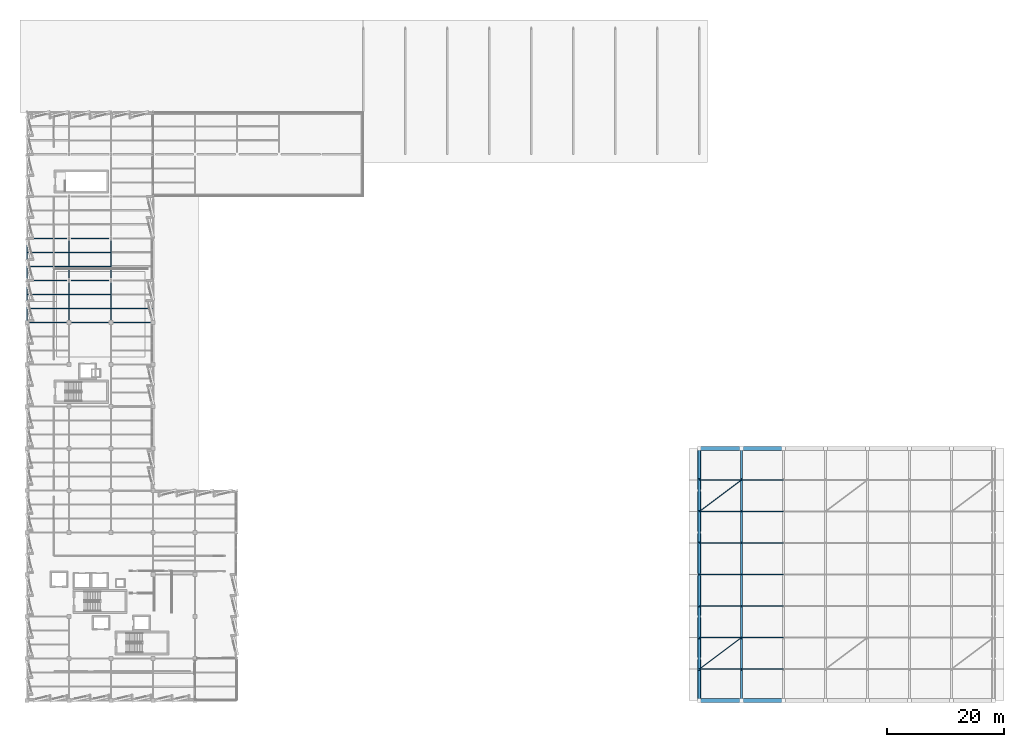
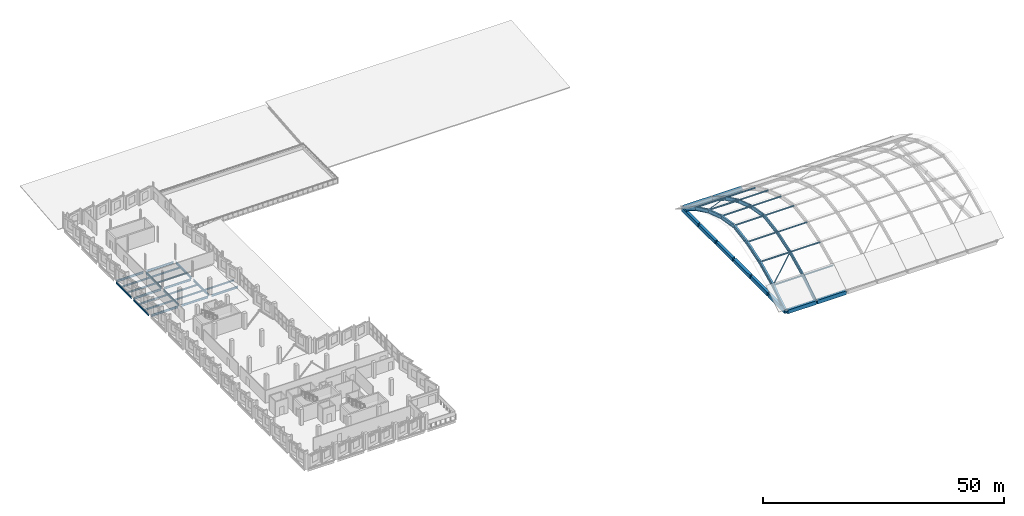
# One storey, part 18 of 38: 48 beams, 16 members.
"""IFC4 building model written with IfcOpenShell, lengths in metres."""

from ifc_helpers import new_model, si_unit, direction, frame, origin, origin_2d, place, context, subcontext, project, spatial, rectangle, hollow_rectangle, i_section, extrude, material, material_profile, profile_set, type_object, element, save


model = new_model("IFC4")

# Units and contexts
model_context = context("Model", 3, precision=1e-05, world=origin(), true_north=direction((0.0, 1.0)))
body_context = subcontext(model_context, "Body", "Model", "MODEL_VIEW")
ifc_project = project(units=[si_unit("LENGTHUNIT", "METRE"), si_unit("AREAUNIT", "SQUARE_METRE"), si_unit("VOLUMEUNIT", "CUBIC_METRE"), si_unit("PLANEANGLEUNIT", "RADIAN"), si_unit("MASSUNIT", "GRAM", prefix="KILO")], contexts=[model_context])

# Site, building, storey
site_placement = place(None, origin())
site = spatial("IfcSite", under=ifc_project, at=site_placement, CompositionType="ELEMENT")
building_placement = place(site_placement, origin())
building = spatial("IfcBuilding", under=site, at=building_placement, Name="Kalmorath City Hall", CompositionType="ELEMENT")
storey_placement = place(building_placement, frame((0.0, 0.0, 18.89990234375)))
storey = spatial("IfcBuildingStorey", under=building, at=storey_placement, Name="L04", CompositionType="ELEMENT", Elevation=18.89990234375)

# Beams
ifc_material_1 = material(Name="Concrete C50/60", Category="concrete")
ifc_material_profile_1 = material_profile(ifc_material_1, rectangle(XDim=0.64990234375, YDim=0.949951171875, at=origin_2d()), Name="RC-RING-650X950")
ifc_profile_set_1 = profile_set([ifc_material_profile_1], Name="Concrete C50/60")
beam_type_1 = type_object("IfcBeamType", Name="Concrete shell ring beam 650x950", PredefinedType="SPANDREL", material=ifc_profile_set_1)
for number, where, z_axis, x_axis, name in (
    (1, (115.384521484375, 0.0, -0.474853515625), (1.0, 0.0, 0.0), (0.0, 1.0, 0.0), "Chamber shell perimeter edge beam RB1-S1"),
    (2, (122.528076171875, 0.0, -0.474853515625), (1.0, 0.0, 0.0), (0.0, 1.0, 0.0), "Chamber shell perimeter edge beam RB1-S2"),
    (3, (115.384521484375, 43.199951171875, -0.474853515625), (1.0, 0.0, 0.0), (0.0, 1.0, 0.0), "Chamber shell perimeter edge beam RB1-N1"),
    (4, (122.528076171875, 43.199951171875, -0.474853515625), (1.0, 0.0, 0.0), (0.0, 1.0, 0.0), "Chamber shell perimeter edge beam RB1-N2"),
):
    element("IfcBeam", number, at=place(storey_placement, frame(where, z_axis=z_axis, x_axis=x_axis)), inside=storey, type_object=beam_type_1, Name=name, PredefinedType="SPANDREL", context=body_context, shape_type="SweptSolid", body=[
        extrude(rectangle(XDim=0.64990234375, YDim=0.949951171875, at=origin_2d()), origin(), (0.0, 0.0, 1.0), 6.887451171875),
    ])
for number, where, z_axis, x_axis, name in (
    (5, (115.199951171875, 0.177978515625, -0.474853515625), (0.0, 1.0, 0.0), (-1.0, 0.0, 0.0), "Chamber shell gable tie beam RB1-W1"),
    (6, (115.199951171875, 7.3779296875, -0.474853515625), (0.0, 1.0, 0.0), (-1.0, 0.0, 0.0), "Chamber shell gable tie beam RB1-W2"),
):
    element("IfcBeam", number, at=place(storey_placement, frame(where, z_axis=z_axis, x_axis=x_axis)), inside=storey, type_object=beam_type_1, Name=name, PredefinedType="SPANDREL", context=body_context, shape_type="SweptSolid", body=[
        extrude(rectangle(XDim=0.64990234375, YDim=0.949951171875, at=origin_2d()), origin(), (0.0, 0.0, 1.0), 6.843994140625),
    ])
beam_1_placement = place(storey_placement, frame((115.199951171875, 14.577880859375, -0.474853515625), z_axis=(0.0, 1.0, 0.0), x_axis=(-1.0, 0.0, 0.0)))
element("IfcBeam", 7, at=beam_1_placement, inside=storey, type_object=beam_type_1, Name="Chamber shell gable tie beam RB1-W3", PredefinedType="SPANDREL", context=body_context, shape_type="SweptSolid", body=[
    extrude(rectangle(XDim=0.64990234375, YDim=0.949951171875, at=origin_2d()), origin(), (0.0, 0.0, 1.0), 6.84423828125),
])
for number, where, z_axis, x_axis, name in (
    (8, (115.199951171875, 21.778076171875, -0.474853515625), (0.0, 1.0, 0.0), (-1.0, 0.0, 0.0), "Chamber shell gable tie beam RB1-W4"),
    (9, (115.199951171875, 28.97802734375, -0.474853515625), (0.0, 1.0, 0.0), (-1.0, 0.0, 0.0), "Chamber shell gable tie beam RB1-W5"),
    (10, (115.199951171875, 36.177978515625, -0.474853515625), (0.0, 1.0, 0.0), (-1.0, 0.0, 0.0), "Chamber shell gable tie beam RB1-W6"),
):
    element("IfcBeam", number, at=place(storey_placement, frame(where, z_axis=z_axis, x_axis=x_axis)), inside=storey, type_object=beam_type_1, Name=name, PredefinedType="SPANDREL", context=body_context, shape_type="SweptSolid", body=[
        extrude(rectangle(XDim=0.64990234375, YDim=0.949951171875, at=origin_2d()), origin(), (0.0, 0.0, 1.0), 6.843994140625),
    ])
ifc_material_2 = material(Name="Steel ASTM A992 Grade 50", Category="steel")
ifc_material_profile_2 = material_profile(ifc_material_2, i_section(OverallWidth=0.177001953125, OverallDepth=0.403076171875, WebThickness=0.007568359375, FlangeThickness=0.010986328125, FilletRadius=0.012939453125, at=origin_2d()), Name="W16X36")
ifc_profile_set_2 = profile_set([ifc_material_profile_2], Name="Steel ASTM A992 Grade 50")
beam_type_2 = type_object("IfcBeamType", Name="Steel composite joist W16X36", PredefinedType="JOIST", material=ifc_profile_set_2)
for number, where, z_axis, x_axis, name in (
    (11, (7.305419921875, 74.39990234375, -0.495361328125), (1.0, 0.0, 0.0), (0.0, 1.0, 0.0), "L04 joist SJ7 2.11.1"),
    (12, (7.305419921875, 76.800048828125, -0.495361328125), (1.0, 0.0, 0.0), (0.0, 1.0, 0.0), "L04 joist SJ7 2.11.2"),
):
    element("IfcBeam", number, at=place(storey_placement, frame(where, z_axis=z_axis, x_axis=x_axis)), inside=storey, type_object=beam_type_2, Name=name, PredefinedType="JOIST", context=body_context, shape_type="SweptSolid", body=[
        extrude(i_section(OverallWidth=0.177001953125, OverallDepth=0.403076171875, WebThickness=0.007568359375, FlangeThickness=0.010986328125, FilletRadius=0.012939453125, at=origin_2d()), origin(), (0.0, 0.0, 1.0), 6.989013671875),
    ])
beam_2_placement = place(storey_placement, frame((14.505615234375, 67.199951171875, -0.495361328125), z_axis=(1.0, 0.0, 0.0), x_axis=(0.0, 1.0, 0.0)))
element("IfcBeam", 13, at=beam_2_placement, inside=storey, type_object=beam_type_2, Name="L04 joist SJ7 3.10.1", PredefinedType="JOIST", context=body_context, shape_type="SweptSolid", body=[
    extrude(i_section(OverallWidth=0.177001953125, OverallDepth=0.403076171875, WebThickness=0.007568359375, FlangeThickness=0.010986328125, FilletRadius=0.012939453125, at=origin_2d()), origin(), (0.0, 0.0, 1.0), 7.011962890625),
])
ifc_material_3 = material(Name="Steel ASTM A992 Grade 50", Category="steel")
ifc_material_profile_3 = material_profile(ifc_material_3, i_section(OverallWidth=0.178955078125, OverallDepth=0.409912109375, WebThickness=0.0087890625, FlangeThickness=0.014404296875, FilletRadius=0.012939453125, at=origin_2d()), Name="W16X45")
ifc_profile_set_3 = profile_set([ifc_material_profile_3], Name="Steel ASTM A992 Grade 50")
beam_type_3 = type_object("IfcBeamType", Name="Steel composite joist W16X45", PredefinedType="JOIST", material=ifc_profile_set_3)
for number, where, z_axis, x_axis, name in (
    (14, (0.08251953125, 74.39990234375, -0.4990234375), (1.0, 0.0, 0.0), (0.0, 1.0, 0.0), "L04 joist SJ6 1.11.1"),
    (15, (0.08251953125, 76.800048828125, -0.4990234375), (1.0, 0.0, 0.0), (0.0, 1.0, 0.0), "L04 joist SJ6 1.11.2"),
):
    element("IfcBeam", number, at=place(storey_placement, frame(where, z_axis=z_axis, x_axis=x_axis)), inside=storey, type_object=beam_type_3, Name=name, PredefinedType="JOIST", context=body_context, shape_type="SweptSolid", body=[
        extrude(i_section(OverallWidth=0.178955078125, OverallDepth=0.409912109375, WebThickness=0.0087890625, FlangeThickness=0.014404296875, FilletRadius=0.012939453125, at=origin_2d()), origin(), (0.0, 0.0, 1.0), 7.011962890625),
    ])
for number, where, z_axis, x_axis, name in (
    (16, (7.305419921875, 67.199951171875, -0.4990234375), (1.0, 0.0, 0.0), (0.0, 1.0, 0.0), "L04 joist SJ6 2.10.1"),
    (17, (7.305419921875, 69.60009765625, -0.4990234375), (1.0, 0.0, 0.0), (0.0, 1.0, 0.0), "L04 joist SJ6 2.10.2"),
):
    element("IfcBeam", number, at=place(storey_placement, frame(where, z_axis=z_axis, x_axis=x_axis)), inside=storey, type_object=beam_type_3, Name=name, PredefinedType="JOIST", context=body_context, shape_type="SweptSolid", body=[
        extrude(i_section(OverallWidth=0.178955078125, OverallDepth=0.409912109375, WebThickness=0.0087890625, FlangeThickness=0.014404296875, FilletRadius=0.012939453125, at=origin_2d()), origin(), (0.0, 0.0, 1.0), 6.989013671875),
    ])
ifc_material_4 = material(Name="Steel ASTM A992 Grade 50", Category="steel")
ifc_material_profile_4 = material_profile(ifc_material_4, i_section(OverallWidth=0.180908203125, OverallDepth=0.4169921875, WebThickness=0.010986328125, FlangeThickness=0.018310546875, FilletRadius=0.012939453125, at=origin_2d()), Name="W16X57")
ifc_profile_set_4 = profile_set([ifc_material_profile_4], Name="Steel ASTM A992 Grade 50")
beam_type_4 = type_object("IfcBeamType", Name="Steel composite joist W16X57", PredefinedType="JOIST", material=ifc_profile_set_4)
for number, where, z_axis, x_axis, name in (
    (18, (0.08251953125, 67.199951171875, -0.50244140625), (1.0, 0.0, 0.0), (0.0, 1.0, 0.0), "L04 joist SJ5 1.10.1"),
    (19, (0.08251953125, 69.60009765625, -0.50244140625), (1.0, 0.0, 0.0), (0.0, 1.0, 0.0), "L04 joist SJ5 1.10.2"),
):
    element("IfcBeam", number, at=place(storey_placement, frame(where, z_axis=z_axis, x_axis=x_axis)), inside=storey, type_object=beam_type_4, Name=name, PredefinedType="JOIST", context=body_context, shape_type="SweptSolid", body=[
        extrude(i_section(OverallWidth=0.180908203125, OverallDepth=0.4169921875, WebThickness=0.010986328125, FlangeThickness=0.018310546875, FilletRadius=0.012939453125, at=origin_2d()), origin(), (0.0, 0.0, 1.0), 7.011962890625),
    ])
ifc_material_5 = material(Name="Steel ASTM A992 Grade 50", Category="steel")
ifc_material_profile_5 = material_profile(ifc_material_5, i_section(OverallWidth=0.2109375, OverallDepth=0.5390625, WebThickness=0.01171875, FlangeThickness=0.018798828125, FilletRadius=0.014892578125, at=origin_2d()), Name="W21X73")
ifc_profile_set_5 = profile_set([ifc_material_profile_5], Name="Steel ASTM A992 Grade 50")
beam_type_5 = type_object("IfcBeamType", Name="Steel floor beam W21X73", PredefinedType="BEAM", material=ifc_profile_set_5)
beam_3_placement = place(storey_placement, frame((0.39990234375, 64.800048828125, -0.5634765625), z_axis=(1.0, 0.0, 0.0), x_axis=(0.0, 1.0, 0.0)))
element("IfcBeam", 20, at=beam_3_placement, inside=storey, type_object=beam_type_5, Name="L04 girder SB1 X1-2/10", PredefinedType="BEAM", context=body_context, shape_type="SweptSolid", body=[
    extrude(i_section(OverallWidth=0.2109375, OverallDepth=0.5390625, WebThickness=0.01171875, FlangeThickness=0.018798828125, FilletRadius=0.014892578125, at=origin_2d()), origin(), (0.0, 0.0, 1.0), 6.400146484375),
])
for number, where, z_axis, x_axis, name in (
    (21, (7.60009765625, 64.800048828125, -0.5634765625), (1.0, 0.0, 0.0), (0.0, 1.0, 0.0), "L04 girder SB1 X2-3/10"),
    (22, (14.800048828125, 64.800048828125, -0.5634765625), (1.0, 0.0, 0.0), (0.0, 1.0, 0.0), "L04 girder SB1 X3-4/10"),
):
    element("IfcBeam", number, at=place(storey_placement, frame(where, z_axis=z_axis, x_axis=x_axis)), inside=storey, type_object=beam_type_5, Name=name, PredefinedType="BEAM", context=body_context, shape_type="SweptSolid", body=[
        extrude(i_section(OverallWidth=0.2109375, OverallDepth=0.5390625, WebThickness=0.01171875, FlangeThickness=0.018798828125, FilletRadius=0.014892578125, at=origin_2d()), origin(), (0.0, 0.0, 1.0), 6.39990234375),
    ])
for number, where, z_axis, x_axis, name in (
    (23, (0.375, 72.0, -0.5634765625), (1.0, 0.0, 0.0), (0.0, 1.0, 0.0), "L04 girder SB1 X1-2/11"),
    (24, (7.574951171875, 72.0, -0.5634765625), (1.0, 0.0, 0.0), (0.0, 1.0, 0.0), "L04 girder SB1 X2-3/11"),
    (25, (0.375, 79.199951171875, -0.5634765625), (1.0, 0.0, 0.0), (0.0, 1.0, 0.0), "L04 girder SB1 X1-2/12"),
    (26, (7.574951171875, 79.199951171875, -0.5634765625), (1.0, 0.0, 0.0), (0.0, 1.0, 0.0), "L04 girder SB1 X2-3/12"),
):
    element("IfcBeam", number, at=place(storey_placement, frame(where, z_axis=z_axis, x_axis=x_axis)), inside=storey, type_object=beam_type_5, Name=name, PredefinedType="BEAM", context=body_context, shape_type="SweptSolid", body=[
        extrude(i_section(OverallWidth=0.2109375, OverallDepth=0.5390625, WebThickness=0.01171875, FlangeThickness=0.018798828125, FilletRadius=0.014892578125, at=origin_2d()), origin(), (0.0, 0.0, 1.0), 6.449951171875),
    ])
beam_4_placement = place(storey_placement, frame((7.199951171875, 65.199951171875, -0.5634765625), z_axis=(0.0, 1.0, 0.0), x_axis=(-1.0, 0.0, 0.0)))
element("IfcBeam", 27, at=beam_4_placement, inside=storey, type_object=beam_type_5, Name="L04 girder SB1 Y2/10-11", PredefinedType="BEAM", context=body_context, shape_type="SweptSolid", body=[
    extrude(i_section(OverallWidth=0.2109375, OverallDepth=0.5390625, WebThickness=0.01171875, FlangeThickness=0.018798828125, FilletRadius=0.014892578125, at=origin_2d()), origin(), (0.0, 0.0, 1.0), 6.425048828125),
])
beam_5_placement = place(storey_placement, frame((7.199951171875, 72.375, -0.5634765625), z_axis=(0.0, 1.0, 0.0), x_axis=(-1.0, 0.0, 0.0)))
element("IfcBeam", 28, at=beam_5_placement, inside=storey, type_object=beam_type_5, Name="L04 girder SB1 Y2/11-12", PredefinedType="BEAM", context=body_context, shape_type="SweptSolid", body=[
    extrude(i_section(OverallWidth=0.2109375, OverallDepth=0.5390625, WebThickness=0.01171875, FlangeThickness=0.018798828125, FilletRadius=0.014892578125, at=origin_2d()), origin(), (0.0, 0.0, 1.0), 6.449951171875),
])
beam_6_placement = place(storey_placement, frame((14.39990234375, 65.199951171875, -0.5634765625), z_axis=(0.0, 1.0, 0.0), x_axis=(-1.0, 0.0, 0.0)))
element("IfcBeam", 29, at=beam_6_placement, inside=storey, type_object=beam_type_5, Name="L04 girder SB1 Y3/10-11", PredefinedType="BEAM", context=body_context, shape_type="SweptSolid", body=[
    extrude(i_section(OverallWidth=0.2109375, OverallDepth=0.5390625, WebThickness=0.01171875, FlangeThickness=0.018798828125, FilletRadius=0.014892578125, at=origin_2d()), origin(), (0.0, 0.0, 1.0), 6.425048828125),
])
beam_7_placement = place(storey_placement, frame((14.39990234375, 72.375, -0.5634765625), z_axis=(0.0, 1.0, 0.0), x_axis=(-1.0, 0.0, 0.0)))
element("IfcBeam", 30, at=beam_7_placement, inside=storey, type_object=beam_type_5, Name="L04 girder SB1 Y3/11-12", PredefinedType="BEAM", context=body_context, shape_type="SweptSolid", body=[
    extrude(i_section(OverallWidth=0.2109375, OverallDepth=0.5390625, WebThickness=0.01171875, FlangeThickness=0.018798828125, FilletRadius=0.014892578125, at=origin_2d()), origin(), (0.0, 0.0, 1.0), 6.449951171875),
])
ifc_material_6 = material(Name="Steel ASTM A992 Grade 50", Category="steel")
ifc_material_profile_6 = material_profile(ifc_material_6, i_section(OverallWidth=0.4189453125, OverallDepth=0.927001953125, WebThickness=0.019287109375, FlangeThickness=0.031982421875, FilletRadius=0.02392578125, at=origin_2d()), Name="W36X231")
ifc_profile_set_6 = profile_set([ifc_material_profile_6], Name="Steel ASTM A992 Grade 50")
beam_type_6 = type_object("IfcBeamType", Name="Steel parabolic shell arch rib W36X231", PredefinedType="BEAM", material=ifc_profile_set_6)
beam_8_placement = place(storey_placement, frame((115.199951171875, 0.0, -0.703369140625), z_axis=(0.0, 0.840066062404, 0.542484111101), x_axis=(-1.0, 0.0, 0.0)))
element("IfcBeam", 31, at=beam_8_placement, inside=storey, type_object=beam_type_6, Name="Chamber shell arch rib AR1 R1.1", PredefinedType="BEAM", context=body_context, shape_type="SweptSolid", body=[
    extrude(i_section(OverallWidth=0.4189453125, OverallDepth=0.927001953125, WebThickness=0.019287109375, FlangeThickness=0.031982421875, FilletRadius=0.02392578125, at=origin_2d()), origin(), (0.0, 0.0, 1.0), 6.427978515625),
])
beam_9_placement = place(storey_placement, frame((115.199951171875, 5.39990234375, 2.78369140625), z_axis=(0.0, 0.899116638092, 0.437709117002), x_axis=(-1.0, 0.0, 0.0)))
element("IfcBeam", 32, at=beam_9_placement, inside=storey, type_object=beam_type_6, Name="Chamber shell arch rib AR1 R1.2", PredefinedType="BEAM", context=body_context, shape_type="SweptSolid", body=[
    extrude(i_section(OverallWidth=0.4189453125, OverallDepth=0.927001953125, WebThickness=0.019287109375, FlangeThickness=0.031982421875, FilletRadius=0.02392578125, at=origin_2d()), origin(), (0.0, 0.0, 1.0), 6.006103515625),
])
beam_10_placement = place(storey_placement, frame((115.199951171875, 10.800048828125, 5.41259765625), z_axis=(0.0, 0.950201598717, 0.311635880147), x_axis=(-1.0, 0.0, 0.0)))
element("IfcBeam", 33, at=beam_10_placement, inside=storey, type_object=beam_type_6, Name="Chamber shell arch rib AR1 R1.3", PredefinedType="BEAM", context=body_context, shape_type="SweptSolid", body=[
    extrude(i_section(OverallWidth=0.4189453125, OverallDepth=0.927001953125, WebThickness=0.019287109375, FlangeThickness=0.031982421875, FilletRadius=0.02392578125, at=origin_2d()), origin(), (0.0, 0.0, 1.0), 5.682861328125),
])
beam_11_placement = place(storey_placement, frame((115.199951171875, 16.199951171875, 7.18359375), z_axis=(0.0, 0.986004456635, 0.166718959619), x_axis=(-1.0, 0.0, 0.0)))
element("IfcBeam", 34, at=beam_11_placement, inside=storey, type_object=beam_type_6, Name="Chamber shell arch rib AR1 R1.4", PredefinedType="BEAM", context=body_context, shape_type="SweptSolid", body=[
    extrude(i_section(OverallWidth=0.4189453125, OverallDepth=0.927001953125, WebThickness=0.019287109375, FlangeThickness=0.031982421875, FilletRadius=0.02392578125, at=origin_2d()), origin(), (0.0, 0.0, 1.0), 5.476806640625),
])
beam_12_placement = place(storey_placement, frame((115.199951171875, 21.60009765625, 8.0966796875), z_axis=(0.0, 0.986003217519, -0.166726287798), x_axis=(-1.0, 0.0, 0.0)))
element("IfcBeam", 35, at=beam_12_placement, inside=storey, type_object=beam_type_6, Name="Chamber shell arch rib AR1 R1.5", PredefinedType="BEAM", context=body_context, shape_type="SweptSolid", body=[
    extrude(i_section(OverallWidth=0.4189453125, OverallDepth=0.927001953125, WebThickness=0.019287109375, FlangeThickness=0.031982421875, FilletRadius=0.02392578125, at=origin_2d()), origin(), (0.0, 0.0, 1.0), 5.4765625),
])
beam_13_placement = place(storey_placement, frame((115.199951171875, 27.0, 7.18359375), z_axis=(0.0, 0.950201598717, -0.311635880147), x_axis=(-1.0, 0.0, 0.0)))
element("IfcBeam", 36, at=beam_13_placement, inside=storey, type_object=beam_type_6, Name="Chamber shell arch rib AR1 R1.6", PredefinedType="BEAM", context=body_context, shape_type="SweptSolid", body=[
    extrude(i_section(OverallWidth=0.4189453125, OverallDepth=0.927001953125, WebThickness=0.019287109375, FlangeThickness=0.031982421875, FilletRadius=0.02392578125, at=origin_2d()), origin(), (0.0, 0.0, 1.0), 5.682861328125),
])
beam_14_placement = place(storey_placement, frame((115.199951171875, 32.39990234375, 5.41259765625), z_axis=(0.0, 0.899116638092, -0.437709117002), x_axis=(-1.0, 0.0, 0.0)))
element("IfcBeam", 37, at=beam_14_placement, inside=storey, type_object=beam_type_6, Name="Chamber shell arch rib AR1 R1.7", PredefinedType="BEAM", context=body_context, shape_type="SweptSolid", body=[
    extrude(i_section(OverallWidth=0.4189453125, OverallDepth=0.927001953125, WebThickness=0.019287109375, FlangeThickness=0.031982421875, FilletRadius=0.02392578125, at=origin_2d()), origin(), (0.0, 0.0, 1.0), 6.006103515625),
])
beam_15_placement = place(storey_placement, frame((115.199951171875, 37.800048828125, 2.78369140625), z_axis=(0.0, 0.840066062404, -0.542484111101), x_axis=(-1.0, 0.0, 0.0)))
element("IfcBeam", 38, at=beam_15_placement, inside=storey, type_object=beam_type_6, Name="Chamber shell arch rib AR1 R1.8", PredefinedType="BEAM", context=body_context, shape_type="SweptSolid", body=[
    extrude(i_section(OverallWidth=0.4189453125, OverallDepth=0.927001953125, WebThickness=0.019287109375, FlangeThickness=0.031982421875, FilletRadius=0.02392578125, at=origin_2d()), origin(), (0.0, 0.0, 1.0), 6.427978515625),
])

# Members
ifc_material_7 = material(Name="Steel ASTM A992 Grade 50", Category="steel")
ifc_material_profile_7 = material_profile(ifc_material_7, i_section(OverallWidth=0.202880859375, OverallDepth=0.302978515625, WebThickness=0.007568359375, FlangeThickness=0.01318359375, FilletRadius=0.014892578125, at=origin_2d()), Name="W12X40")
ifc_profile_set_7 = profile_set([ifc_material_profile_7], Name="Steel ASTM A992 Grade 50")
member_type_1 = type_object("IfcMemberType", Name="Steel roof purlin member W12X40", PredefinedType="PURLIN", material=ifc_profile_set_7)
for number, where, z_axis, x_axis, name in (
    (39, (122.39990234375, 5.39990234375, 2.95703125), (1.0, 0.0, 0.0), (0.0, 1.0, 0.0), "Chamber shell purlin RF6-2.1"),
    (40, (122.39990234375, 10.800048828125, 5.586181640625), (1.0, 0.0, 0.0), (0.0, 1.0, 0.0), "Chamber shell purlin RF6-2.2"),
    (41, (122.39990234375, 16.199951171875, 7.357177734375), (1.0, 0.0, 0.0), (0.0, 1.0, 0.0), "Chamber shell purlin RF6-2.3"),
    (42, (122.39990234375, 21.60009765625, 8.27001953125), (1.0, 0.0, 0.0), (0.0, 1.0, 0.0), "Chamber shell purlin RF6-2.4"),
    (43, (122.39990234375, 27.0, 7.357177734375), (1.0, 0.0, 0.0), (0.0, 1.0, 0.0), "Chamber shell purlin RF6-2.5"),
    (44, (122.39990234375, 32.39990234375, 5.586181640625), (1.0, 0.0, 0.0), (0.0, 1.0, 0.0), "Chamber shell purlin RF6-2.6"),
    (45, (122.39990234375, 37.800048828125, 2.95703125), (1.0, 0.0, 0.0), (0.0, 1.0, 0.0), "Chamber shell purlin RF6-2.7"),
):
    element("IfcMember", number, at=place(storey_placement, frame(where, z_axis=z_axis, x_axis=x_axis)), inside=storey, type_object=member_type_1, Name=name, PredefinedType="PURLIN", context=body_context, shape_type="SweptSolid", body=[
        extrude(i_section(OverallWidth=0.202880859375, OverallDepth=0.302978515625, WebThickness=0.007568359375, FlangeThickness=0.01318359375, FilletRadius=0.014892578125, at=origin_2d()), origin(), (0.0, 0.0, 1.0), 7.2001953125),
    ])
ifc_material_8 = material(Name="Steel ASTM A992 Grade 50", Category="steel")
ifc_material_profile_8 = material_profile(ifc_material_8, i_section(OverallWidth=0.2041015625, OverallDepth=0.35009765625, WebThickness=0.008544921875, FlangeThickness=0.01513671875, FilletRadius=0.014892578125, at=origin_2d()), Name="W14X48")
ifc_profile_set_8 = profile_set([ifc_material_profile_8], Name="Steel ASTM A992 Grade 50")
member_type_2 = type_object("IfcMemberType", Name="Steel roof purlin member W14X48", PredefinedType="PURLIN", material=ifc_profile_set_8)
for number, where, z_axis, x_axis, name in (
    (46, (115.199951171875, 5.39990234375, 2.95703125), (1.0, 0.0, 0.0), (0.0, 1.0, 0.0), "Chamber shell purlin RF5-1.1"),
    (47, (115.199951171875, 10.800048828125, 5.586181640625), (1.0, 0.0, 0.0), (0.0, 1.0, 0.0), "Chamber shell purlin RF5-1.2"),
    (48, (115.199951171875, 16.199951171875, 7.357177734375), (1.0, 0.0, 0.0), (0.0, 1.0, 0.0), "Chamber shell purlin RF5-1.3"),
    (49, (115.199951171875, 21.60009765625, 8.27001953125), (1.0, 0.0, 0.0), (0.0, 1.0, 0.0), "Chamber shell purlin RF5-1.4"),
    (50, (115.199951171875, 27.0, 7.357177734375), (1.0, 0.0, 0.0), (0.0, 1.0, 0.0), "Chamber shell purlin RF5-1.5"),
    (51, (115.199951171875, 32.39990234375, 5.586181640625), (1.0, 0.0, 0.0), (0.0, 1.0, 0.0), "Chamber shell purlin RF5-1.6"),
    (52, (115.199951171875, 37.800048828125, 2.95703125), (1.0, 0.0, 0.0), (0.0, 1.0, 0.0), "Chamber shell purlin RF5-1.7"),
):
    element("IfcMember", number, at=place(storey_placement, frame(where, z_axis=z_axis, x_axis=x_axis)), inside=storey, type_object=member_type_2, Name=name, PredefinedType="PURLIN", context=body_context, shape_type="SweptSolid", body=[
        extrude(i_section(OverallWidth=0.2041015625, OverallDepth=0.35009765625, WebThickness=0.008544921875, FlangeThickness=0.01513671875, FilletRadius=0.014892578125, at=origin_2d()), origin(), (0.0, 0.0, 1.0), 7.199951171875),
    ])
ifc_material_9 = material(Name="Steel ASTM A500 Grade C", Category="steel")
ifc_material_profile_9 = material_profile(ifc_material_9, hollow_rectangle(XDim=0.152099609375, YDim=0.152099609375, WallThickness=0.0087890625, InnerFilletRadius=0.0087890625, OuterFilletRadius=0.017822265625, at=origin_2d()), Name="HSS152X152X9.5")
ifc_profile_set_9 = profile_set([ifc_material_profile_9], Name="Steel ASTM A500 Grade C")
member_type_3 = type_object("IfcMemberType", Name="Steel roof wind brace HSS152X152X9.5", PredefinedType="BRACE", material=ifc_profile_set_9)
for number, where, z_axis, x_axis, name in (
    (53, (115.199951171875, 5.39990234375, 3.037109375), (0.767901302604, 0.575945505825, 0.28038253116), (-0.600013020683, 0.799990234322, 0.0), "Chamber shell wind brace BR4-1.2"),
    (54, (115.199951171875, 32.39990234375, 5.666015625), (0.767901302604, 0.575945505825, -0.28038253116), (-0.600013020683, 0.799990234322, 0.0), "Chamber shell wind brace BR4-1.7"),
):
    element("IfcMember", number, at=place(storey_placement, frame(where, z_axis=z_axis, x_axis=x_axis)), inside=storey, type_object=member_type_3, Name=name, PredefinedType="BRACE", context=body_context, shape_type="SweptSolid", body=[
        extrude(hollow_rectangle(XDim=0.152099609375, YDim=0.152099609375, WallThickness=0.0087890625, InnerFilletRadius=0.0087890625, OuterFilletRadius=0.017822265625, at=origin_2d()), origin(), (0.0, 0.0, 1.0), 9.376220703125),
    ])

# Beams
ifc_material_10 = material(Name="Steel ASTM A992 Grade 50", Category="steel")
ifc_material_profile_10 = material_profile(ifc_material_10, i_section(OverallWidth=0.303955078125, OverallDepth=0.910888671875, WebThickness=0.015869140625, FlangeThickness=0.02392578125, FilletRadius=0.02392578125, at=origin_2d()), Name="W36X150")
ifc_profile_set_10 = profile_set([ifc_material_profile_10], Name="Steel ASTM A992 Grade 50")
beam_type_7 = type_object("IfcBeamType", Name="Steel shell edge girder W36X150", PredefinedType="SPANDREL", material=ifc_profile_set_10)
beam_16_placement = place(storey_placement, frame((122.39990234375, 0.0, -0.6953125), z_axis=(0.0, 0.840083371177, 0.542457306589), x_axis=(-1.0, 0.0, 0.0)))
element("IfcBeam", 55, at=beam_16_placement, inside=storey, type_object=beam_type_7, Name="Chamber shell arch rib AR3 R2.1", PredefinedType="BEAM", context=body_context, shape_type="SweptSolid", body=[
    extrude(i_section(OverallWidth=0.303955078125, OverallDepth=0.910888671875, WebThickness=0.015869140625, FlangeThickness=0.02392578125, FilletRadius=0.02392578125, at=origin_2d()), origin(), (0.0, 0.0, 1.0), 6.427734375),
])
beam_17_placement = place(storey_placement, frame((122.39990234375, 5.39990234375, 2.79150390625), z_axis=(0.0, 0.899100640274, 0.437741977264), x_axis=(-1.0, 0.0, 0.0)))
element("IfcBeam", 56, at=beam_17_placement, inside=storey, type_object=beam_type_7, Name="Chamber shell arch rib AR3 R2.2", PredefinedType="BEAM", context=body_context, shape_type="SweptSolid", body=[
    extrude(i_section(OverallWidth=0.303955078125, OverallDepth=0.910888671875, WebThickness=0.015869140625, FlangeThickness=0.02392578125, FilletRadius=0.02392578125, at=origin_2d()), origin(), (0.0, 0.0, 1.0), 6.006103515625),
])
beam_18_placement = place(storey_placement, frame((122.39990234375, 10.800048828125, 5.420654296875), z_axis=(0.0, 0.950201598717, 0.311635880147), x_axis=(-1.0, 0.0, 0.0)))
element("IfcBeam", 57, at=beam_18_placement, inside=storey, type_object=beam_type_7, Name="Chamber shell arch rib AR3 R2.3", PredefinedType="BEAM", context=body_context, shape_type="SweptSolid", body=[
    extrude(i_section(OverallWidth=0.303955078125, OverallDepth=0.910888671875, WebThickness=0.015869140625, FlangeThickness=0.02392578125, FilletRadius=0.02392578125, at=origin_2d()), origin(), (0.0, 0.0, 1.0), 5.682861328125),
])
beam_19_placement = place(storey_placement, frame((122.39990234375, 16.199951171875, 7.191650390625), z_axis=(0.0, 0.986011783598, 0.166675620908), x_axis=(-1.0, 0.0, 0.0)))
element("IfcBeam", 58, at=beam_19_placement, inside=storey, type_object=beam_type_7, Name="Chamber shell arch rib AR3 R2.4", PredefinedType="BEAM", context=body_context, shape_type="SweptSolid", body=[
    extrude(i_section(OverallWidth=0.303955078125, OverallDepth=0.910888671875, WebThickness=0.015869140625, FlangeThickness=0.02392578125, FilletRadius=0.02392578125, at=origin_2d()), origin(), (0.0, 0.0, 1.0), 5.476806640625),
])
beam_20_placement = place(storey_placement, frame((122.39990234375, 21.60009765625, 8.1044921875), z_axis=(0.0, 0.986010545117, -0.166682947291), x_axis=(-1.0, 0.0, 0.0)))
element("IfcBeam", 59, at=beam_20_placement, inside=storey, type_object=beam_type_7, Name="Chamber shell arch rib AR3 R2.5", PredefinedType="BEAM", context=body_context, shape_type="SweptSolid", body=[
    extrude(i_section(OverallWidth=0.303955078125, OverallDepth=0.910888671875, WebThickness=0.015869140625, FlangeThickness=0.02392578125, FilletRadius=0.02392578125, at=origin_2d()), origin(), (0.0, 0.0, 1.0), 5.4765625),
])
beam_21_placement = place(storey_placement, frame((122.39990234375, 27.0, 7.191650390625), z_axis=(0.0, 0.950201598717, -0.311635880147), x_axis=(-1.0, 0.0, 0.0)))
element("IfcBeam", 60, at=beam_21_placement, inside=storey, type_object=beam_type_7, Name="Chamber shell arch rib AR3 R2.6", PredefinedType="BEAM", context=body_context, shape_type="SweptSolid", body=[
    extrude(i_section(OverallWidth=0.303955078125, OverallDepth=0.910888671875, WebThickness=0.015869140625, FlangeThickness=0.02392578125, FilletRadius=0.02392578125, at=origin_2d()), origin(), (0.0, 0.0, 1.0), 5.682861328125),
])
beam_22_placement = place(storey_placement, frame((122.39990234375, 32.39990234375, 5.420654296875), z_axis=(0.0, 0.899100640274, -0.437741977264), x_axis=(-1.0, 0.0, 0.0)))
element("IfcBeam", 61, at=beam_22_placement, inside=storey, type_object=beam_type_7, Name="Chamber shell arch rib AR3 R2.7", PredefinedType="BEAM", context=body_context, shape_type="SweptSolid", body=[
    extrude(i_section(OverallWidth=0.303955078125, OverallDepth=0.910888671875, WebThickness=0.015869140625, FlangeThickness=0.02392578125, FilletRadius=0.02392578125, at=origin_2d()), origin(), (0.0, 0.0, 1.0), 6.006103515625),
])
beam_23_placement = place(storey_placement, frame((122.39990234375, 37.800048828125, 2.79150390625), z_axis=(0.0, 0.840083371177, -0.542457306589), x_axis=(-1.0, 0.0, 0.0)))
element("IfcBeam", 62, at=beam_23_placement, inside=storey, type_object=beam_type_7, Name="Chamber shell arch rib AR3 R2.8", PredefinedType="BEAM", context=body_context, shape_type="SweptSolid", body=[
    extrude(i_section(OverallWidth=0.303955078125, OverallDepth=0.910888671875, WebThickness=0.015869140625, FlangeThickness=0.02392578125, FilletRadius=0.02392578125, at=origin_2d()), origin(), (0.0, 0.0, 1.0), 6.427734375),
])
ifc_material_11 = material(Name="Steel ASTM A992 Grade 50", Category="steel")
ifc_material_profile_11 = material_profile(ifc_material_11, i_section(OverallWidth=0.1650390625, OverallDepth=0.52490234375, WebThickness=0.0087890625, FlangeThickness=0.011474609375, FilletRadius=0.014892578125, at=origin_2d()), Name="W21X44")
ifc_profile_set_11 = profile_set([ifc_material_profile_11], Name="Steel ASTM A992 Grade 50")
beam_type_8 = type_object("IfcBeamType", Name="Steel spandrel beam W21X44", PredefinedType="SPANDREL", material=ifc_profile_set_11)
beam_24_placement = place(storey_placement, frame((0.0, 65.199951171875, -0.556396484375), z_axis=(0.0, 1.0, 0.0), x_axis=(-1.0, 0.0, 0.0)))
element("IfcBeam", 63, at=beam_24_placement, inside=storey, type_object=beam_type_8, Name="L04 girder SB4 Y1/10-11", PredefinedType="SPANDREL", context=body_context, shape_type="SweptSolid", body=[
    extrude(i_section(OverallWidth=0.1650390625, OverallDepth=0.52490234375, WebThickness=0.0087890625, FlangeThickness=0.011474609375, FilletRadius=0.014892578125, at=origin_2d()), origin(), (0.0, 0.0, 1.0), 6.425048828125),
])
beam_25_placement = place(storey_placement, frame((0.0, 72.375, -0.556396484375), z_axis=(0.0, 1.0, 0.0), x_axis=(-1.0, 0.0, 0.0)))
element("IfcBeam", 64, at=beam_25_placement, inside=storey, type_object=beam_type_8, Name="L04 girder SB4 Y1/11-12", PredefinedType="SPANDREL", context=body_context, shape_type="SweptSolid", body=[
    extrude(i_section(OverallWidth=0.1650390625, OverallDepth=0.52490234375, WebThickness=0.0087890625, FlangeThickness=0.011474609375, FilletRadius=0.014892578125, at=origin_2d()), origin(), (0.0, 0.0, 1.0), 6.449951171875),
])

save(model, "model.ifc")
